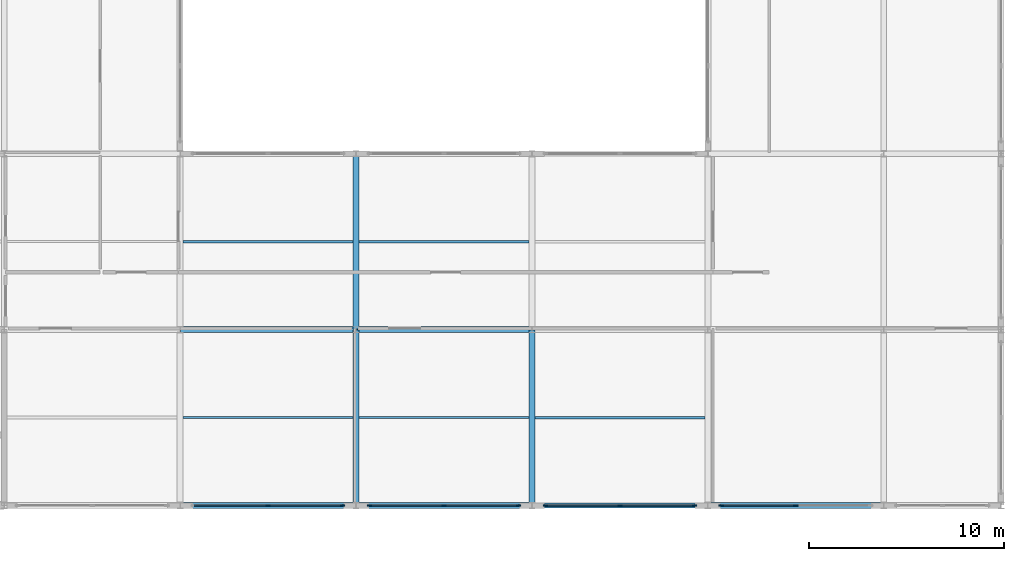
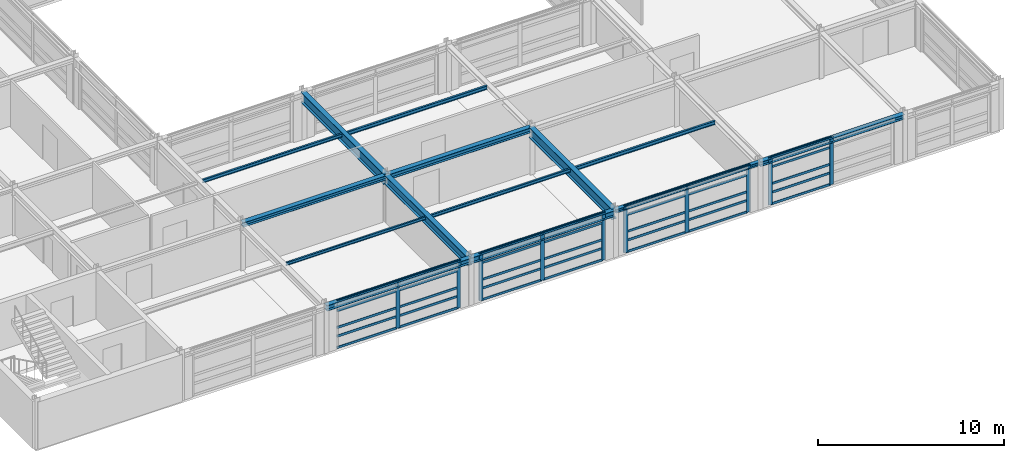
# One storey, part 49 of 91: 45 members, 14 beams, 4 elements without a shape of their own.
"""IFC4 building model written with IfcOpenShell, lengths in metres."""

from ifc_helpers import new_model, si_unit, direction, frame, origin, origin_2d, place, context, subcontext, project, spatial, rectangle, i_section, extrude, material, material_profile, profile_set, type_object, element, aggregate, save


model = new_model("IFC4")

# Units and contexts
model_context = context("Model", 3, precision=1e-05, world=origin(), true_north=direction((0.0, 1.0)))
body_context = subcontext(model_context, "Body", "Model", "MODEL_VIEW")
ifc_project = project(units=[si_unit("LENGTHUNIT", "METRE"), si_unit("AREAUNIT", "SQUARE_METRE"), si_unit("VOLUMEUNIT", "CUBIC_METRE"), si_unit("PLANEANGLEUNIT", "RADIAN"), si_unit("MASSUNIT", "GRAM", prefix="KILO")], contexts=[model_context])

# Site, building, storey
site_placement = place(None, origin())
site = spatial("IfcSite", under=ifc_project, at=site_placement, CompositionType="ELEMENT")
building_placement = place(site_placement, origin())
building = spatial("IfcBuilding", under=site, at=building_placement, Name="Palais des Congres Ocreval", CompositionType="ELEMENT")
storey_placement = place(building_placement, frame((0.0, 0.0, 8.159912109375)))
storey = spatial("IfcBuildingStorey", under=building, at=storey_placement, Name="L02", CompositionType="ELEMENT", Elevation=8.159912109375)

# Curtain wall, members
ifc_material_1 = material(Name="Anodized bronze aluminium and low-E glass", Category="glass")
curtain_wall_type = type_object("IfcCurtainWallType", Name="Unitised Curtain Wall 7900x3120", PredefinedType="USERDEFINED", material=ifc_material_1)
curtain_wall_1_placement = place(storey_placement, origin())
curtain_wall_1 = element("IfcCurtainWall", 1, at=curtain_wall_1_placement, inside=storey, type_object=curtain_wall_type, Name="Unitised Curtain Wall CW03 L02", ObjectType="UNITISED CURTAIN WALL", PredefinedType="USERDEFINED")
ifc_material_2 = material(Name="Anodized bronze aluminium", Category="aluminium")
ifc_material_profile_1 = material_profile(ifc_material_2, rectangle(XDim=0.074951171875, YDim=0.239990234375, at=origin_2d()), Name="ALU 75x240")
ifc_profile_set_1 = profile_set([ifc_material_profile_1], Name="Anodized bronze aluminium")
member_type_1 = type_object("IfcMemberType", Name="Curtain Wall Mullion ALU 75x240", PredefinedType="MULLION", material=ifc_profile_set_1)
member_1_placement = place(storey_placement, frame((157.5, 0.0, 0.0), z_axis=(0.0, 0.0, 1.0), x_axis=(0.0, -1.0, 0.0)))
member_1 = element("IfcMember", 2, at=member_1_placement, type_object=member_type_1, Name="Curtain Wall Mullion ML01", PredefinedType="MULLION", context=body_context, shape_type="SweptSolid", body=[
    extrude(rectangle(XDim=0.074951171875, YDim=0.239990234375, at=origin_2d()), origin(), (0.0, 0.0, 1.0), 3.110107421875),
])
member_2_placement = place(storey_placement, frame((153.6875, 0.0, 0.0), z_axis=(0.0, 0.0, 1.0), x_axis=(0.0, -1.0, 0.0)))
member_2 = element("IfcMember", 3, at=member_2_placement, type_object=member_type_1, Name="Curtain Wall Mullion ML01", PredefinedType="MULLION", context=body_context, shape_type="SweptSolid", body=[
    extrude(rectangle(XDim=0.074951171875, YDim=0.239990234375, at=origin_2d()), origin(), (0.0, 0.0, 1.0), 3.110107421875),
])

curtain_wall_2_placement = place(storey_placement, origin())
curtain_wall_2 = element("IfcCurtainWall", 4, at=curtain_wall_2_placement, inside=storey, type_object=curtain_wall_type, Name="Unitised Curtain Wall CW03 L02", ObjectType="UNITISED CURTAIN WALL", PredefinedType="USERDEFINED")
member_3_placement = place(storey_placement, frame((152.3125, 0.0, 0.0), z_axis=(0.0, 0.0, 1.0), x_axis=(0.0, -1.0, 0.0)))
member_3 = element("IfcMember", 5, at=member_3_placement, type_object=member_type_1, Name="Curtain Wall Mullion ML01", PredefinedType="MULLION", context=body_context, shape_type="SweptSolid", body=[
    extrude(rectangle(XDim=0.074951171875, YDim=0.239990234375, at=origin_2d()), origin(), (0.0, 0.0, 1.0), 3.110107421875),
])
member_4_placement = place(storey_placement, frame((148.5, 0.0, 0.0), z_axis=(0.0, 0.0, 1.0), x_axis=(0.0, -1.0, 0.0)))
member_4 = element("IfcMember", 6, at=member_4_placement, type_object=member_type_1, Name="Curtain Wall Mullion ML01", PredefinedType="MULLION", context=body_context, shape_type="SweptSolid", body=[
    extrude(rectangle(XDim=0.074951171875, YDim=0.239990234375, at=origin_2d()), origin(), (0.0, 0.0, 1.0), 3.110107421875),
])
member_5_placement = place(storey_placement, frame((144.6875, 0.0, 0.0), z_axis=(0.0, 0.0, 1.0), x_axis=(0.0, -1.0, 0.0)))
member_5 = element("IfcMember", 7, at=member_5_placement, type_object=member_type_1, Name="Curtain Wall Mullion ML01", PredefinedType="MULLION", context=body_context, shape_type="SweptSolid", body=[
    extrude(rectangle(XDim=0.074951171875, YDim=0.239990234375, at=origin_2d()), origin(), (0.0, 0.0, 1.0), 3.110107421875),
])

curtain_wall_3_placement = place(storey_placement, origin())
curtain_wall_3 = element("IfcCurtainWall", 8, at=curtain_wall_3_placement, inside=storey, type_object=curtain_wall_type, Name="Unitised Curtain Wall CW03 L02", ObjectType="UNITISED CURTAIN WALL", PredefinedType="USERDEFINED")
member_6_placement = place(storey_placement, frame((143.3125, 0.0, 0.0), z_axis=(0.0, 0.0, 1.0), x_axis=(0.0, -1.0, 0.0)))
member_6 = element("IfcMember", 9, at=member_6_placement, type_object=member_type_1, Name="Curtain Wall Mullion ML01", PredefinedType="MULLION", context=body_context, shape_type="SweptSolid", body=[
    extrude(rectangle(XDim=0.074951171875, YDim=0.239990234375, at=origin_2d()), origin(), (0.0, 0.0, 1.0), 3.110107421875),
])
member_7_placement = place(storey_placement, frame((139.5, 0.0, 0.0), z_axis=(0.0, 0.0, 1.0), x_axis=(0.0, -1.0, 0.0)))
member_7 = element("IfcMember", 10, at=member_7_placement, type_object=member_type_1, Name="Curtain Wall Mullion ML01", PredefinedType="MULLION", context=body_context, shape_type="SweptSolid", body=[
    extrude(rectangle(XDim=0.074951171875, YDim=0.239990234375, at=origin_2d()), origin(), (0.0, 0.0, 1.0), 3.110107421875),
])
member_8_placement = place(storey_placement, frame((135.6875, 0.0, 0.0), z_axis=(0.0, 0.0, 1.0), x_axis=(0.0, -1.0, 0.0)))
member_8 = element("IfcMember", 11, at=member_8_placement, type_object=member_type_1, Name="Curtain Wall Mullion ML01", PredefinedType="MULLION", context=body_context, shape_type="SweptSolid", body=[
    extrude(rectangle(XDim=0.074951171875, YDim=0.239990234375, at=origin_2d()), origin(), (0.0, 0.0, 1.0), 3.110107421875),
])

curtain_wall_4_placement = place(storey_placement, origin())
curtain_wall_4 = element("IfcCurtainWall", 12, at=curtain_wall_4_placement, inside=storey, type_object=curtain_wall_type, Name="Unitised Curtain Wall CW03 L02", ObjectType="UNITISED CURTAIN WALL", PredefinedType="USERDEFINED")
member_9_placement = place(storey_placement, frame((134.3125, 0.0, 0.0), z_axis=(0.0, 0.0, 1.0), x_axis=(0.0, -1.0, 0.0)))
member_9 = element("IfcMember", 13, at=member_9_placement, type_object=member_type_1, Name="Curtain Wall Mullion ML01", PredefinedType="MULLION", context=body_context, shape_type="SweptSolid", body=[
    extrude(rectangle(XDim=0.074951171875, YDim=0.239990234375, at=origin_2d()), origin(), (0.0, 0.0, 1.0), 3.110107421875),
])
member_10_placement = place(storey_placement, frame((130.5, 0.0, 0.0), z_axis=(0.0, 0.0, 1.0), x_axis=(0.0, -1.0, 0.0)))
member_10 = element("IfcMember", 14, at=member_10_placement, type_object=member_type_1, Name="Curtain Wall Mullion ML01", PredefinedType="MULLION", context=body_context, shape_type="SweptSolid", body=[
    extrude(rectangle(XDim=0.074951171875, YDim=0.239990234375, at=origin_2d()), origin(), (0.0, 0.0, 1.0), 3.110107421875),
])

# Member
ifc_material_profile_2 = material_profile(ifc_material_2, rectangle(XDim=0.06005859375, YDim=0.14990234375, at=origin_2d()), Name="ALU 60x150")
ifc_profile_set_2 = profile_set([ifc_material_profile_2], Name="Anodized bronze aluminium")
member_type_2 = type_object("IfcMemberType", Name="Curtain Wall Transom ALU 60x150", PredefinedType="USERDEFINED", material=ifc_profile_set_2)
member_11_placement = place(storey_placement, frame((157.46240234375, 0.0, 0.030029296875), z_axis=(-1.0, 0.0, 0.0), x_axis=(0.0, -1.0, 0.0)))
member_11 = element("IfcMember", 15, at=member_11_placement, type_object=member_type_2, Name="Curtain Wall Transom TR01", ObjectType="TRANSOM", PredefinedType="USERDEFINED", context=body_context, shape_type="SweptSolid", body=[
    extrude(rectangle(XDim=0.06005859375, YDim=0.14990234375, at=origin_2d()), origin(), (0.0, 0.0, 1.0), 3.7373046875),
])

member_12_placement = place(storey_placement, frame((157.46240234375, 0.0, 0.780029296875), z_axis=(-1.0, 0.0, 0.0), x_axis=(0.0, -1.0, 0.0)))
member_12 = element("IfcMember", 16, at=member_12_placement, type_object=member_type_2, Name="Curtain Wall Transom TR01", ObjectType="TRANSOM", PredefinedType="USERDEFINED", context=body_context, shape_type="SweptSolid", body=[
    extrude(rectangle(XDim=0.06005859375, YDim=0.14990234375, at=origin_2d()), origin(), (0.0, 0.0, 1.0), 3.7373046875),
])

member_13_placement = place(storey_placement, frame((157.46240234375, 0.0, 1.35302734375), z_axis=(-1.0, 0.0, 0.0), x_axis=(0.0, -1.0, 0.0)))
member_13 = element("IfcMember", 17, at=member_13_placement, type_object=member_type_2, Name="Curtain Wall Transom TR01", ObjectType="TRANSOM", PredefinedType="USERDEFINED", context=body_context, shape_type="SweptSolid", body=[
    extrude(rectangle(XDim=0.06005859375, YDim=0.14990234375, at=origin_2d()), origin(), (0.0, 0.0, 1.0), 3.7373046875),
])

member_14_placement = place(storey_placement, frame((157.46240234375, 0.0, 2.460205078125), z_axis=(-1.0, 0.0, 0.0), x_axis=(0.0, -1.0, 0.0)))
member_14 = element("IfcMember", 18, at=member_14_placement, type_object=member_type_2, Name="Curtain Wall Transom TR01", ObjectType="TRANSOM", PredefinedType="USERDEFINED", context=body_context, shape_type="SweptSolid", body=[
    extrude(rectangle(XDim=0.06005859375, YDim=0.14990234375, at=origin_2d()), origin(), (0.0, 0.0, 1.0), 3.7373046875),
])

member_15_placement = place(storey_placement, frame((157.46240234375, 0.0, 3.080078125), z_axis=(-1.0, 0.0, 0.0), x_axis=(0.0, -1.0, 0.0)))
member_15 = element("IfcMember", 19, at=member_15_placement, type_object=member_type_2, Name="Curtain Wall Transom TR01", ObjectType="TRANSOM", PredefinedType="USERDEFINED", context=body_context, shape_type="SweptSolid", body=[
    extrude(rectangle(XDim=0.06005859375, YDim=0.14990234375, at=origin_2d()), origin(), (0.0, 0.0, 1.0), 3.7373046875),
])

aggregate(curtain_wall_1, [member_1, member_2, member_11, member_12, member_13, member_14, member_15])

member_16_placement = place(storey_placement, frame((152.27490234375, 0.0, 0.030029296875), z_axis=(-1.0, 0.0, 0.0), x_axis=(0.0, -1.0, 0.0)))
member_16 = element("IfcMember", 20, at=member_16_placement, type_object=member_type_2, Name="Curtain Wall Transom TR01", ObjectType="TRANSOM", PredefinedType="USERDEFINED", context=body_context, shape_type="SweptSolid", body=[
    extrude(rectangle(XDim=0.06005859375, YDim=0.14990234375, at=origin_2d()), origin(), (0.0, 0.0, 1.0), 3.7373046875),
])

member_17_placement = place(storey_placement, frame((152.27490234375, 0.0, 0.780029296875), z_axis=(-1.0, 0.0, 0.0), x_axis=(0.0, -1.0, 0.0)))
member_17 = element("IfcMember", 21, at=member_17_placement, type_object=member_type_2, Name="Curtain Wall Transom TR01", ObjectType="TRANSOM", PredefinedType="USERDEFINED", context=body_context, shape_type="SweptSolid", body=[
    extrude(rectangle(XDim=0.06005859375, YDim=0.14990234375, at=origin_2d()), origin(), (0.0, 0.0, 1.0), 3.7373046875),
])

member_18_placement = place(storey_placement, frame((152.27490234375, 0.0, 1.35302734375), z_axis=(-1.0, 0.0, 0.0), x_axis=(0.0, -1.0, 0.0)))
member_18 = element("IfcMember", 22, at=member_18_placement, type_object=member_type_2, Name="Curtain Wall Transom TR01", ObjectType="TRANSOM", PredefinedType="USERDEFINED", context=body_context, shape_type="SweptSolid", body=[
    extrude(rectangle(XDim=0.06005859375, YDim=0.14990234375, at=origin_2d()), origin(), (0.0, 0.0, 1.0), 3.7373046875),
])

member_19_placement = place(storey_placement, frame((152.27490234375, 0.0, 2.460205078125), z_axis=(-1.0, 0.0, 0.0), x_axis=(0.0, -1.0, 0.0)))
member_19 = element("IfcMember", 23, at=member_19_placement, type_object=member_type_2, Name="Curtain Wall Transom TR01", ObjectType="TRANSOM", PredefinedType="USERDEFINED", context=body_context, shape_type="SweptSolid", body=[
    extrude(rectangle(XDim=0.06005859375, YDim=0.14990234375, at=origin_2d()), origin(), (0.0, 0.0, 1.0), 3.7373046875),
])

member_20_placement = place(storey_placement, frame((152.27490234375, 0.0, 3.080078125), z_axis=(-1.0, 0.0, 0.0), x_axis=(0.0, -1.0, 0.0)))
member_20 = element("IfcMember", 24, at=member_20_placement, type_object=member_type_2, Name="Curtain Wall Transom TR01", ObjectType="TRANSOM", PredefinedType="USERDEFINED", context=body_context, shape_type="SweptSolid", body=[
    extrude(rectangle(XDim=0.06005859375, YDim=0.14990234375, at=origin_2d()), origin(), (0.0, 0.0, 1.0), 3.7373046875),
])

member_21_placement = place(storey_placement, frame((148.46240234375, 0.0, 0.030029296875), z_axis=(-1.0, 0.0, 0.0), x_axis=(0.0, -1.0, 0.0)))
member_21 = element("IfcMember", 25, at=member_21_placement, type_object=member_type_2, Name="Curtain Wall Transom TR01", ObjectType="TRANSOM", PredefinedType="USERDEFINED", context=body_context, shape_type="SweptSolid", body=[
    extrude(rectangle(XDim=0.06005859375, YDim=0.14990234375, at=origin_2d()), origin(), (0.0, 0.0, 1.0), 3.7373046875),
])

member_22_placement = place(storey_placement, frame((148.46240234375, 0.0, 0.780029296875), z_axis=(-1.0, 0.0, 0.0), x_axis=(0.0, -1.0, 0.0)))
member_22 = element("IfcMember", 26, at=member_22_placement, type_object=member_type_2, Name="Curtain Wall Transom TR01", ObjectType="TRANSOM", PredefinedType="USERDEFINED", context=body_context, shape_type="SweptSolid", body=[
    extrude(rectangle(XDim=0.06005859375, YDim=0.14990234375, at=origin_2d()), origin(), (0.0, 0.0, 1.0), 3.7373046875),
])

member_23_placement = place(storey_placement, frame((148.46240234375, 0.0, 1.35302734375), z_axis=(-1.0, 0.0, 0.0), x_axis=(0.0, -1.0, 0.0)))
member_23 = element("IfcMember", 27, at=member_23_placement, type_object=member_type_2, Name="Curtain Wall Transom TR01", ObjectType="TRANSOM", PredefinedType="USERDEFINED", context=body_context, shape_type="SweptSolid", body=[
    extrude(rectangle(XDim=0.06005859375, YDim=0.14990234375, at=origin_2d()), origin(), (0.0, 0.0, 1.0), 3.7373046875),
])

member_24_placement = place(storey_placement, frame((148.46240234375, 0.0, 2.460205078125), z_axis=(-1.0, 0.0, 0.0), x_axis=(0.0, -1.0, 0.0)))
member_24 = element("IfcMember", 28, at=member_24_placement, type_object=member_type_2, Name="Curtain Wall Transom TR01", ObjectType="TRANSOM", PredefinedType="USERDEFINED", context=body_context, shape_type="SweptSolid", body=[
    extrude(rectangle(XDim=0.06005859375, YDim=0.14990234375, at=origin_2d()), origin(), (0.0, 0.0, 1.0), 3.7373046875),
])

member_25_placement = place(storey_placement, frame((148.46240234375, 0.0, 3.080078125), z_axis=(-1.0, 0.0, 0.0), x_axis=(0.0, -1.0, 0.0)))
member_25 = element("IfcMember", 29, at=member_25_placement, type_object=member_type_2, Name="Curtain Wall Transom TR01", ObjectType="TRANSOM", PredefinedType="USERDEFINED", context=body_context, shape_type="SweptSolid", body=[
    extrude(rectangle(XDim=0.06005859375, YDim=0.14990234375, at=origin_2d()), origin(), (0.0, 0.0, 1.0), 3.7373046875),
])

aggregate(curtain_wall_2, [member_3, member_4, member_5, member_16, member_17, member_18, member_19, member_20, member_21, member_22, member_23, member_24, member_25])

member_26_placement = place(storey_placement, frame((143.27490234375, 0.0, 0.030029296875), z_axis=(-1.0, 0.0, 0.0), x_axis=(0.0, -1.0, 0.0)))
member_26 = element("IfcMember", 30, at=member_26_placement, type_object=member_type_2, Name="Curtain Wall Transom TR01", ObjectType="TRANSOM", PredefinedType="USERDEFINED", context=body_context, shape_type="SweptSolid", body=[
    extrude(rectangle(XDim=0.06005859375, YDim=0.14990234375, at=origin_2d()), origin(), (0.0, 0.0, 1.0), 3.7373046875),
])

member_27_placement = place(storey_placement, frame((143.27490234375, 0.0, 0.780029296875), z_axis=(-1.0, 0.0, 0.0), x_axis=(0.0, -1.0, 0.0)))
member_27 = element("IfcMember", 31, at=member_27_placement, type_object=member_type_2, Name="Curtain Wall Transom TR01", ObjectType="TRANSOM", PredefinedType="USERDEFINED", context=body_context, shape_type="SweptSolid", body=[
    extrude(rectangle(XDim=0.06005859375, YDim=0.14990234375, at=origin_2d()), origin(), (0.0, 0.0, 1.0), 3.7373046875),
])

member_28_placement = place(storey_placement, frame((143.27490234375, 0.0, 1.35302734375), z_axis=(-1.0, 0.0, 0.0), x_axis=(0.0, -1.0, 0.0)))
member_28 = element("IfcMember", 32, at=member_28_placement, type_object=member_type_2, Name="Curtain Wall Transom TR01", ObjectType="TRANSOM", PredefinedType="USERDEFINED", context=body_context, shape_type="SweptSolid", body=[
    extrude(rectangle(XDim=0.06005859375, YDim=0.14990234375, at=origin_2d()), origin(), (0.0, 0.0, 1.0), 3.7373046875),
])

member_29_placement = place(storey_placement, frame((143.27490234375, 0.0, 2.460205078125), z_axis=(-1.0, 0.0, 0.0), x_axis=(0.0, -1.0, 0.0)))
member_29 = element("IfcMember", 33, at=member_29_placement, type_object=member_type_2, Name="Curtain Wall Transom TR01", ObjectType="TRANSOM", PredefinedType="USERDEFINED", context=body_context, shape_type="SweptSolid", body=[
    extrude(rectangle(XDim=0.06005859375, YDim=0.14990234375, at=origin_2d()), origin(), (0.0, 0.0, 1.0), 3.7373046875),
])

member_30_placement = place(storey_placement, frame((143.27490234375, 0.0, 3.080078125), z_axis=(-1.0, 0.0, 0.0), x_axis=(0.0, -1.0, 0.0)))
member_30 = element("IfcMember", 34, at=member_30_placement, type_object=member_type_2, Name="Curtain Wall Transom TR01", ObjectType="TRANSOM", PredefinedType="USERDEFINED", context=body_context, shape_type="SweptSolid", body=[
    extrude(rectangle(XDim=0.06005859375, YDim=0.14990234375, at=origin_2d()), origin(), (0.0, 0.0, 1.0), 3.7373046875),
])

member_31_placement = place(storey_placement, frame((139.46240234375, 0.0, 0.030029296875), z_axis=(-1.0, 0.0, 0.0), x_axis=(0.0, -1.0, 0.0)))
member_31 = element("IfcMember", 35, at=member_31_placement, type_object=member_type_2, Name="Curtain Wall Transom TR01", ObjectType="TRANSOM", PredefinedType="USERDEFINED", context=body_context, shape_type="SweptSolid", body=[
    extrude(rectangle(XDim=0.06005859375, YDim=0.14990234375, at=origin_2d()), origin(), (0.0, 0.0, 1.0), 3.7373046875),
])

member_32_placement = place(storey_placement, frame((139.46240234375, 0.0, 0.780029296875), z_axis=(-1.0, 0.0, 0.0), x_axis=(0.0, -1.0, 0.0)))
member_32 = element("IfcMember", 36, at=member_32_placement, type_object=member_type_2, Name="Curtain Wall Transom TR01", ObjectType="TRANSOM", PredefinedType="USERDEFINED", context=body_context, shape_type="SweptSolid", body=[
    extrude(rectangle(XDim=0.06005859375, YDim=0.14990234375, at=origin_2d()), origin(), (0.0, 0.0, 1.0), 3.7373046875),
])

member_33_placement = place(storey_placement, frame((139.46240234375, 0.0, 1.35302734375), z_axis=(-1.0, 0.0, 0.0), x_axis=(0.0, -1.0, 0.0)))
member_33 = element("IfcMember", 37, at=member_33_placement, type_object=member_type_2, Name="Curtain Wall Transom TR01", ObjectType="TRANSOM", PredefinedType="USERDEFINED", context=body_context, shape_type="SweptSolid", body=[
    extrude(rectangle(XDim=0.06005859375, YDim=0.14990234375, at=origin_2d()), origin(), (0.0, 0.0, 1.0), 3.7373046875),
])

member_34_placement = place(storey_placement, frame((139.46240234375, 0.0, 2.460205078125), z_axis=(-1.0, 0.0, 0.0), x_axis=(0.0, -1.0, 0.0)))
member_34 = element("IfcMember", 38, at=member_34_placement, type_object=member_type_2, Name="Curtain Wall Transom TR01", ObjectType="TRANSOM", PredefinedType="USERDEFINED", context=body_context, shape_type="SweptSolid", body=[
    extrude(rectangle(XDim=0.06005859375, YDim=0.14990234375, at=origin_2d()), origin(), (0.0, 0.0, 1.0), 3.7373046875),
])

member_35_placement = place(storey_placement, frame((139.46240234375, 0.0, 3.080078125), z_axis=(-1.0, 0.0, 0.0), x_axis=(0.0, -1.0, 0.0)))
member_35 = element("IfcMember", 39, at=member_35_placement, type_object=member_type_2, Name="Curtain Wall Transom TR01", ObjectType="TRANSOM", PredefinedType="USERDEFINED", context=body_context, shape_type="SweptSolid", body=[
    extrude(rectangle(XDim=0.06005859375, YDim=0.14990234375, at=origin_2d()), origin(), (0.0, 0.0, 1.0), 3.7373046875),
])

aggregate(curtain_wall_3, [member_6, member_7, member_8, member_26, member_27, member_28, member_29, member_30, member_31, member_32, member_33, member_34, member_35])

member_36_placement = place(storey_placement, frame((134.27490234375, 0.0, 0.030029296875), z_axis=(-1.0, 0.0, 0.0), x_axis=(0.0, -1.0, 0.0)))
member_36 = element("IfcMember", 40, at=member_36_placement, type_object=member_type_2, Name="Curtain Wall Transom TR01", ObjectType="TRANSOM", PredefinedType="USERDEFINED", context=body_context, shape_type="SweptSolid", body=[
    extrude(rectangle(XDim=0.06005859375, YDim=0.14990234375, at=origin_2d()), origin(), (0.0, 0.0, 1.0), 3.7373046875),
])

member_37_placement = place(storey_placement, frame((134.27490234375, 0.0, 0.780029296875), z_axis=(-1.0, 0.0, 0.0), x_axis=(0.0, -1.0, 0.0)))
member_37 = element("IfcMember", 41, at=member_37_placement, type_object=member_type_2, Name="Curtain Wall Transom TR01", ObjectType="TRANSOM", PredefinedType="USERDEFINED", context=body_context, shape_type="SweptSolid", body=[
    extrude(rectangle(XDim=0.06005859375, YDim=0.14990234375, at=origin_2d()), origin(), (0.0, 0.0, 1.0), 3.7373046875),
])

member_38_placement = place(storey_placement, frame((134.27490234375, 0.0, 1.35302734375), z_axis=(-1.0, 0.0, 0.0), x_axis=(0.0, -1.0, 0.0)))
member_38 = element("IfcMember", 42, at=member_38_placement, type_object=member_type_2, Name="Curtain Wall Transom TR01", ObjectType="TRANSOM", PredefinedType="USERDEFINED", context=body_context, shape_type="SweptSolid", body=[
    extrude(rectangle(XDim=0.06005859375, YDim=0.14990234375, at=origin_2d()), origin(), (0.0, 0.0, 1.0), 3.7373046875),
])

member_39_placement = place(storey_placement, frame((134.27490234375, 0.0, 2.460205078125), z_axis=(-1.0, 0.0, 0.0), x_axis=(0.0, -1.0, 0.0)))
member_39 = element("IfcMember", 43, at=member_39_placement, type_object=member_type_2, Name="Curtain Wall Transom TR01", ObjectType="TRANSOM", PredefinedType="USERDEFINED", context=body_context, shape_type="SweptSolid", body=[
    extrude(rectangle(XDim=0.06005859375, YDim=0.14990234375, at=origin_2d()), origin(), (0.0, 0.0, 1.0), 3.7373046875),
])

member_40_placement = place(storey_placement, frame((134.27490234375, 0.0, 3.080078125), z_axis=(-1.0, 0.0, 0.0), x_axis=(0.0, -1.0, 0.0)))
member_40 = element("IfcMember", 44, at=member_40_placement, type_object=member_type_2, Name="Curtain Wall Transom TR01", ObjectType="TRANSOM", PredefinedType="USERDEFINED", context=body_context, shape_type="SweptSolid", body=[
    extrude(rectangle(XDim=0.06005859375, YDim=0.14990234375, at=origin_2d()), origin(), (0.0, 0.0, 1.0), 3.7373046875),
])

member_41_placement = place(storey_placement, frame((130.46240234375, 0.0, 0.030029296875), z_axis=(-1.0, 0.0, 0.0), x_axis=(0.0, -1.0, 0.0)))
member_41 = element("IfcMember", 45, at=member_41_placement, type_object=member_type_2, Name="Curtain Wall Transom TR01", ObjectType="TRANSOM", PredefinedType="USERDEFINED", context=body_context, shape_type="SweptSolid", body=[
    extrude(rectangle(XDim=0.06005859375, YDim=0.14990234375, at=origin_2d()), origin(), (0.0, 0.0, 1.0), 3.7373046875),
])

member_42_placement = place(storey_placement, frame((130.46240234375, 0.0, 0.780029296875), z_axis=(-1.0, 0.0, 0.0), x_axis=(0.0, -1.0, 0.0)))
member_42 = element("IfcMember", 46, at=member_42_placement, type_object=member_type_2, Name="Curtain Wall Transom TR01", ObjectType="TRANSOM", PredefinedType="USERDEFINED", context=body_context, shape_type="SweptSolid", body=[
    extrude(rectangle(XDim=0.06005859375, YDim=0.14990234375, at=origin_2d()), origin(), (0.0, 0.0, 1.0), 3.7373046875),
])

member_43_placement = place(storey_placement, frame((130.46240234375, 0.0, 1.35302734375), z_axis=(-1.0, 0.0, 0.0), x_axis=(0.0, -1.0, 0.0)))
member_43 = element("IfcMember", 47, at=member_43_placement, type_object=member_type_2, Name="Curtain Wall Transom TR01", ObjectType="TRANSOM", PredefinedType="USERDEFINED", context=body_context, shape_type="SweptSolid", body=[
    extrude(rectangle(XDim=0.06005859375, YDim=0.14990234375, at=origin_2d()), origin(), (0.0, 0.0, 1.0), 3.7373046875),
])

member_44_placement = place(storey_placement, frame((130.46240234375, 0.0, 2.460205078125), z_axis=(-1.0, 0.0, 0.0), x_axis=(0.0, -1.0, 0.0)))
member_44 = element("IfcMember", 48, at=member_44_placement, type_object=member_type_2, Name="Curtain Wall Transom TR01", ObjectType="TRANSOM", PredefinedType="USERDEFINED", context=body_context, shape_type="SweptSolid", body=[
    extrude(rectangle(XDim=0.06005859375, YDim=0.14990234375, at=origin_2d()), origin(), (0.0, 0.0, 1.0), 3.7373046875),
])

member_45_placement = place(storey_placement, frame((130.46240234375, 0.0, 3.080078125), z_axis=(-1.0, 0.0, 0.0), x_axis=(0.0, -1.0, 0.0)))
member_45 = element("IfcMember", 49, at=member_45_placement, type_object=member_type_2, Name="Curtain Wall Transom TR01", ObjectType="TRANSOM", PredefinedType="USERDEFINED", context=body_context, shape_type="SweptSolid", body=[
    extrude(rectangle(XDim=0.06005859375, YDim=0.14990234375, at=origin_2d()), origin(), (0.0, 0.0, 1.0), 3.7373046875),
])

aggregate(curtain_wall_4, [member_9, member_10, member_36, member_37, member_38, member_39, member_40, member_41, member_42, member_43, member_44, member_45])

# Beams
ifc_material_3 = material(Name="Steel S355", Category="steel")
ifc_material_profile_3 = material_profile(ifc_material_3, i_section(OverallWidth=0.239990234375, OverallDepth=0.22998046875, WebThickness=0.007568359375, FlangeThickness=0.011962890625, at=origin_2d()), Name="HEA 240")
ifc_profile_set_3 = profile_set([ifc_material_profile_3], Name="Steel S355")
beam_type_1 = type_object("IfcBeamType", Name="Perimeter Spandrel HEA 240 Steel S355", PredefinedType="SPANDREL", material=ifc_profile_set_3)
beam_1_placement = place(storey_placement, frame((144.02001953125, 0.0, 2.985107421875), z_axis=(1.0, 0.0, 0.0), x_axis=(0.0, 1.0, 0.0)))
element("IfcBeam", 50, at=beam_1_placement, inside=storey, type_object=beam_type_1, Name="Beam SP01 L02", PredefinedType="SPANDREL", context=body_context, shape_type="SweptSolid", body=[
    extrude(i_section(OverallWidth=0.239990234375, OverallDepth=0.22998046875, WebThickness=0.007568359375, FlangeThickness=0.011962890625, at=origin_2d()), origin(), (0.0, 0.0, 1.0), 8.9599609375),
])
ifc_material_profile_4 = material_profile(ifc_material_3, i_section(OverallWidth=0.300048828125, OverallDepth=0.300048828125, WebThickness=0.010986328125, FlangeThickness=0.01904296875, at=origin_2d()), Name="HEB 300")
ifc_profile_set_4 = profile_set([ifc_material_profile_4], Name="Steel S355")
beam_type_2 = type_object("IfcBeamType", Name="Perimeter Spandrel HEB 300 Steel S355", PredefinedType="SPANDREL", material=ifc_profile_set_4)
beam_2_placement = place(storey_placement, frame((153.02001953125, 0.0, 2.9501953125), z_axis=(1.0, 0.0, 0.0), x_axis=(0.0, 1.0, 0.0)))
element("IfcBeam", 51, at=beam_2_placement, inside=storey, type_object=beam_type_2, Name="Beam SP02 L02", PredefinedType="SPANDREL", context=body_context, shape_type="SweptSolid", body=[
    extrude(i_section(OverallWidth=0.300048828125, OverallDepth=0.300048828125, WebThickness=0.010986328125, FlangeThickness=0.01904296875, at=origin_2d()), origin(), (0.0, 0.0, 1.0), 8.9599609375),
])
ifc_material_profile_5 = material_profile(ifc_material_3, i_section(OverallWidth=0.300048828125, OverallDepth=0.360107421875, WebThickness=0.012451171875, FlangeThickness=0.0224609375, at=origin_2d()), Name="HEB 360")
ifc_profile_set_5 = profile_set([ifc_material_profile_5], Name="Steel S355")
beam_type_3 = type_object("IfcBeamType", Name="Perimeter Spandrel HEB 360 Steel S355", PredefinedType="SPANDREL", material=ifc_profile_set_5)
beam_3_placement = place(storey_placement, frame((126.02001953125, 0.0, 2.920166015625), z_axis=(1.0, 0.0, 0.0), x_axis=(0.0, 1.0, 0.0)))
element("IfcBeam", 52, at=beam_3_placement, inside=storey, type_object=beam_type_3, Name="Beam SP03 L02", PredefinedType="SPANDREL", context=body_context, shape_type="SweptSolid", body=[
    extrude(i_section(OverallWidth=0.300048828125, OverallDepth=0.360107421875, WebThickness=0.012451171875, FlangeThickness=0.0224609375, at=origin_2d()), origin(), (0.0, 0.0, 1.0), 8.9599609375),
])
ifc_material_profile_6 = material_profile(ifc_material_3, i_section(OverallWidth=0.300048828125, OverallDepth=0.39990234375, WebThickness=0.013427734375, FlangeThickness=0.02392578125, at=origin_2d()), Name="HEB 400")
ifc_profile_set_6 = profile_set([ifc_material_profile_6], Name="Steel S355")
beam_type_4 = type_object("IfcBeamType", Name="Perimeter Spandrel HEB 400 Steel S355", PredefinedType="SPANDREL", material=ifc_profile_set_6)
beam_4_placement = place(storey_placement, frame((135.02001953125, 0.0, 2.900146484375), z_axis=(1.0, 0.0, 0.0), x_axis=(0.0, 1.0, 0.0)))
element("IfcBeam", 53, at=beam_4_placement, inside=storey, type_object=beam_type_4, Name="Beam SP04 L02", PredefinedType="SPANDREL", context=body_context, shape_type="SweptSolid", body=[
    extrude(i_section(OverallWidth=0.300048828125, OverallDepth=0.39990234375, WebThickness=0.013427734375, FlangeThickness=0.02392578125, at=origin_2d()), origin(), (0.0, 0.0, 1.0), 8.9599609375),
])
ifc_material_profile_7 = material_profile(ifc_material_3, i_section(OverallWidth=0.300048828125, OverallDepth=0.2900390625, WebThickness=0.008544921875, FlangeThickness=0.013916015625, at=origin_2d()), Name="HEA 300")
ifc_profile_set_7 = profile_set([ifc_material_profile_7], Name="Steel S355")
beam_type_5 = type_object("IfcBeamType", Name="Primary Beam HEA 300 Steel S355", PredefinedType="BEAM", material=ifc_profile_set_7)
beam_5_placement = place(storey_placement, frame((126.02001953125, 9.0, 2.955078125), z_axis=(1.0, 0.0, 0.0), x_axis=(0.0, 1.0, 0.0)))
element("IfcBeam", 54, at=beam_5_placement, inside=storey, type_object=beam_type_5, Name="Beam B08 L02", PredefinedType="BEAM", context=body_context, shape_type="SweptSolid", body=[
    extrude(i_section(OverallWidth=0.300048828125, OverallDepth=0.2900390625, WebThickness=0.008544921875, FlangeThickness=0.013916015625, at=origin_2d()), origin(), (0.0, 0.0, 1.0), 8.9599609375),
])
ifc_material_profile_8 = material_profile(ifc_material_3, i_section(OverallWidth=0.300048828125, OverallDepth=0.330078125, WebThickness=0.009521484375, FlangeThickness=0.0166015625, at=origin_2d()), Name="HEA 340")
ifc_profile_set_8 = profile_set([ifc_material_profile_8], Name="Steel S355")
beam_type_6 = type_object("IfcBeamType", Name="Primary Beam HEA 340 Steel S355", PredefinedType="BEAM", material=ifc_profile_set_8)
beam_6_placement = place(storey_placement, frame((135.02001953125, 9.0, 2.93505859375), z_axis=(1.0, 0.0, 0.0), x_axis=(0.0, 1.0, 0.0)))
element("IfcBeam", 55, at=beam_6_placement, inside=storey, type_object=beam_type_6, Name="Beam B09 L02", PredefinedType="BEAM", context=body_context, shape_type="SweptSolid", body=[
    extrude(i_section(OverallWidth=0.300048828125, OverallDepth=0.330078125, WebThickness=0.009521484375, FlangeThickness=0.0166015625, at=origin_2d()), origin(), (0.0, 0.0, 1.0), 8.9599609375),
])
ifc_material_profile_9 = material_profile(ifc_material_3, i_section(OverallWidth=0.300048828125, OverallDepth=0.590087890625, WebThickness=0.012939453125, FlangeThickness=0.02490234375, at=origin_2d()), Name="HEA 600")
ifc_profile_set_9 = profile_set([ifc_material_profile_9], Name="Steel S355")
beam_type_7 = type_object("IfcBeamType", Name="Primary Girder HEA 600 Steel S355", PredefinedType="BEAM", material=ifc_profile_set_9)
beam_7_placement = place(storey_placement, frame((135.0, 0.02001953125, 2.80517578125), z_axis=(0.0, 1.0, 0.0), x_axis=(-1.0, 0.0, 0.0)))
element("IfcBeam", 56, at=beam_7_placement, inside=storey, type_object=beam_type_7, Name="Girder B13 L02", PredefinedType="BEAM", context=body_context, shape_type="SweptSolid", body=[
    extrude(i_section(OverallWidth=0.300048828125, OverallDepth=0.590087890625, WebThickness=0.012939453125, FlangeThickness=0.02490234375, at=origin_2d()), origin(), (0.0, 0.0, 1.0), 8.9599609375),
])
ifc_material_profile_10 = material_profile(ifc_material_3, i_section(OverallWidth=0.300048828125, OverallDepth=0.68994140625, WebThickness=0.014404296875, FlangeThickness=0.027099609375, at=origin_2d()), Name="HEA 700")
ifc_profile_set_10 = profile_set([ifc_material_profile_10], Name="Steel S355")
beam_type_8 = type_object("IfcBeamType", Name="Primary Girder HEA 700 Steel S355", PredefinedType="BEAM", material=ifc_profile_set_10)
for number, where, z_axis, x_axis, name in (
    (57, (135.0, 9.02001953125, 2.755126953125), (0.0, 1.0, 0.0), (-1.0, 0.0, 0.0), "Girder B14 L02"),
    (58, (144.0, 0.02001953125, 2.755126953125), (0.0, 1.0, 0.0), (-1.0, 0.0, 0.0), "Girder B14 L02"),
):
    element("IfcBeam", number, at=place(storey_placement, frame(where, z_axis=z_axis, x_axis=x_axis)), inside=storey, type_object=beam_type_8, Name=name, PredefinedType="BEAM", context=body_context, shape_type="SweptSolid", body=[
        extrude(i_section(OverallWidth=0.300048828125, OverallDepth=0.68994140625, WebThickness=0.014404296875, FlangeThickness=0.027099609375, at=origin_2d()), origin(), (0.0, 0.0, 1.0), 8.9599609375),
    ])
ifc_material_profile_11 = material_profile(ifc_material_3, i_section(OverallWidth=0.10009765625, OverallDepth=0.199951171875, WebThickness=0.005615234375, FlangeThickness=0.008544921875, at=origin_2d()), Name="IPE 200")
ifc_profile_set_11 = profile_set([ifc_material_profile_11], Name="Steel S355")
beam_type_9 = type_object("IfcBeamType", Name="Secondary Joist IPE 200 Steel S355", PredefinedType="JOIST", material=ifc_profile_set_11)
beam_8_placement = place(storey_placement, frame((126.14990234375, 4.5, 3.0), z_axis=(1.0, 0.0, 0.0), x_axis=(0.0, 1.0, 0.0)))
element("IfcBeam", 59, at=beam_8_placement, inside=storey, type_object=beam_type_9, Name="Secondary Joist J01 L02", PredefinedType="JOIST", context=body_context, shape_type="SweptSolid", body=[
    extrude(i_section(OverallWidth=0.10009765625, OverallDepth=0.199951171875, WebThickness=0.005615234375, FlangeThickness=0.008544921875, at=origin_2d()), origin(), (0.0, 0.0, 1.0), 8.7001953125),
])
ifc_material_profile_12 = material_profile(ifc_material_3, i_section(OverallWidth=0.110107421875, OverallDepth=0.219970703125, WebThickness=0.005859375, FlangeThickness=0.00927734375, at=origin_2d()), Name="IPE 220")
ifc_profile_set_12 = profile_set([ifc_material_profile_12], Name="Steel S355")
beam_type_10 = type_object("IfcBeamType", Name="Secondary Joist IPE 220 Steel S355", PredefinedType="JOIST", material=ifc_profile_set_12)
for number, where, z_axis, x_axis, name in (
    (60, (126.14990234375, 13.5, 2.989990234375), (1.0, 0.0, 0.0), (0.0, 1.0, 0.0), "Secondary Joist J02 L02"),
    (61, (135.14990234375, 4.5, 2.989990234375), (1.0, 0.0, 0.0), (0.0, 1.0, 0.0), "Secondary Joist J02 L02"),
):
    element("IfcBeam", number, at=place(storey_placement, frame(where, z_axis=z_axis, x_axis=x_axis)), inside=storey, type_object=beam_type_10, Name=name, PredefinedType="JOIST", context=body_context, shape_type="SweptSolid", body=[
        extrude(i_section(OverallWidth=0.110107421875, OverallDepth=0.219970703125, WebThickness=0.005859375, FlangeThickness=0.00927734375, at=origin_2d()), origin(), (0.0, 0.0, 1.0), 8.7001953125),
    ])
ifc_material_profile_13 = material_profile(ifc_material_3, i_section(OverallWidth=0.1201171875, OverallDepth=0.239990234375, WebThickness=0.006103515625, FlangeThickness=0.009765625, at=origin_2d()), Name="IPE 240")
ifc_profile_set_13 = profile_set([ifc_material_profile_13], Name="Steel S355")
beam_type_11 = type_object("IfcBeamType", Name="Secondary Joist IPE 240 Steel S355", PredefinedType="JOIST", material=ifc_profile_set_13)
for number, where, z_axis, x_axis, name in (
    (62, (135.14990234375, 13.5, 2.97998046875), (1.0, 0.0, 0.0), (0.0, 1.0, 0.0), "Secondary Joist J03 L02"),
    (63, (144.14990234375, 4.5, 2.97998046875), (1.0, 0.0, 0.0), (0.0, 1.0, 0.0), "Secondary Joist J03 L02"),
):
    element("IfcBeam", number, at=place(storey_placement, frame(where, z_axis=z_axis, x_axis=x_axis)), inside=storey, type_object=beam_type_11, Name=name, PredefinedType="JOIST", context=body_context, shape_type="SweptSolid", body=[
        extrude(i_section(OverallWidth=0.1201171875, OverallDepth=0.239990234375, WebThickness=0.006103515625, FlangeThickness=0.009765625, at=origin_2d()), origin(), (0.0, 0.0, 1.0), 8.7001953125),
    ])

save(model, "model.ifc")
